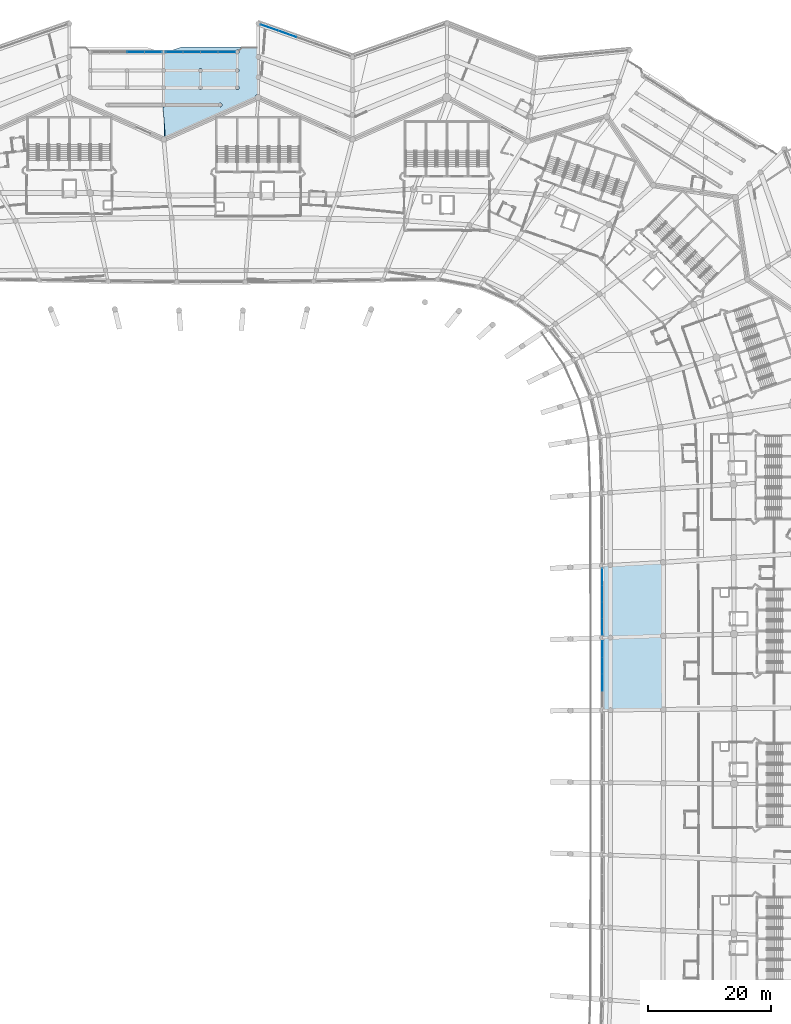
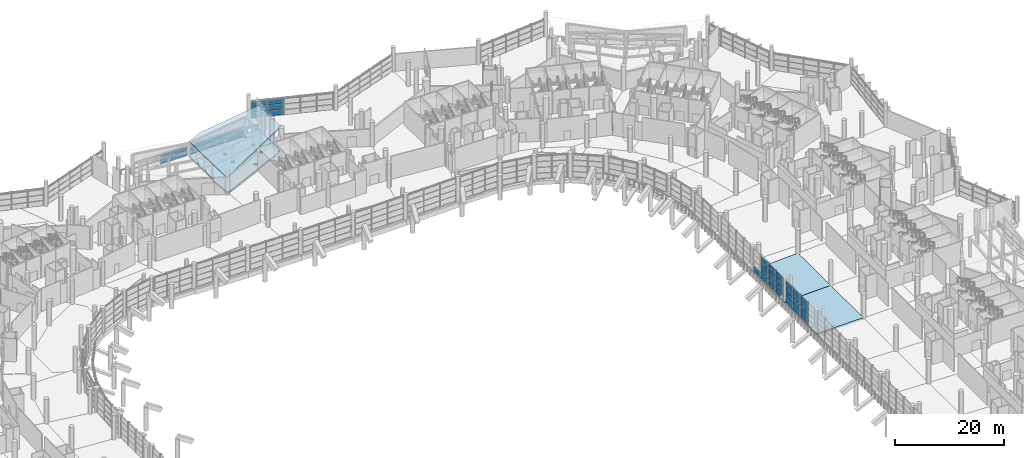
# One storey, part 147 of 271: 43 plates, 4 slabs, 5 elements without a shape of their own.
"""IFC4 building model written with IfcOpenShell, lengths in metres."""

from ifc_helpers import new_model, si_unit, direction, frame, origin, origin_2d, place, context, subcontext, project, spatial, polyline, rectangle, outline, extrude, material, layer, layer_set, type_object, element, aggregate, save


model = new_model("IFC4")

# Units and contexts
model_context = context("Model", 3, precision=1e-05, world=origin(), true_north=direction((0.0, 1.0)))
body_context = subcontext(model_context, "Body", "Model", "MODEL_VIEW")
ifc_project = project(units=[si_unit("LENGTHUNIT", "METRE"), si_unit("AREAUNIT", "SQUARE_METRE"), si_unit("VOLUMEUNIT", "CUBIC_METRE"), si_unit("PLANEANGLEUNIT", "RADIAN"), si_unit("MASSUNIT", "GRAM", prefix="KILO")], contexts=[model_context])

# Site, building, storey
site_placement = place(None, origin())
site = spatial("IfcSite", under=ifc_project, at=site_placement, CompositionType="ELEMENT")
building_placement = place(site_placement, origin())
building = spatial("IfcBuilding", under=site, at=building_placement, Name="Meseta Stadium", CompositionType="ELEMENT")
storey_placement = place(building_placement, frame((0.0, 0.0, 6.5)))
storey = spatial("IfcBuildingStorey", under=building, at=storey_placement, Name="L01", CompositionType="ELEMENT", Elevation=6.5)

# Curtain wall, plates
ifc_material_1 = material(Name="Aluminium", Category="aluminium")
ifc_layer_1 = layer(ifc_material_1, 0.199951171875)
ifc_layer_set_1 = layer_set([ifc_layer_1], Name="Club glazing curtain wall")
curtain_wall_type_1 = type_object("IfcCurtainWallType", Name="Club glazing curtain wall", PredefinedType="NOTDEFINED", material=ifc_layer_set_1)
curtain_wall_1_placement = place(storey_placement, origin())
curtain_wall_1 = element("IfcCurtainWall", 1, at=curtain_wall_1_placement, inside=storey, type_object=curtain_wall_type_1, Name="Club glazing bay 05", PredefinedType="NOTDEFINED")
ifc_material_2 = material(Name="Glass", Category="glass")
ifc_layer_2 = layer(ifc_material_2, 0.028076171875)
ifc_layer_set_2 = layer_set([ifc_layer_2], Name="CW glass panel 28")
plate_type_1 = type_object("IfcPlateType", Name="CW glass panel 28", PredefinedType="CURTAIN_PANEL", material=ifc_layer_set_2)
plate_1_placement = place(storey_placement, frame((63.594482421875, 10.37890625, 0.1201171875), z_axis=(0.0, 0.0, 1.0), x_axis=(-0.000924539991, 0.999999572613, 0.0)))
plate_1 = element("IfcPlate", 2, at=plate_1_placement, type_object=plate_type_1, Name="CWC panel 2.1", PredefinedType="CURTAIN_PANEL", context=body_context, shape_type="SweptSolid", body=[
    extrude(rectangle(XDim=2.64404296875, YDim=0.028076171875, at=origin_2d()), origin(), (0.0, 0.0, 1.0), 1.107421875),
])
plate_2_placement = place(storey_placement, frame((63.594482421875, 10.37890625, 1.347412109375), z_axis=(0.0, 0.0, 1.0), x_axis=(-0.000924539991, 0.999999572613, 0.0)))
plate_2 = element("IfcPlate", 3, at=plate_2_placement, type_object=plate_type_1, Name="CWC panel 2.2", PredefinedType="CURTAIN_PANEL", context=body_context, shape_type="SweptSolid", body=[
    extrude(rectangle(XDim=2.64404296875, YDim=0.028076171875, at=origin_2d()), origin(), (0.0, 0.0, 1.0), 1.16748046875),
])
plate_3_placement = place(storey_placement, frame((63.594482421875, 10.37890625, 2.635009765625), z_axis=(0.0, 0.0, 1.0), x_axis=(-0.000924539991, 0.999999572613, 0.0)))
plate_3 = element("IfcPlate", 4, at=plate_3_placement, type_object=plate_type_1, Name="CWC panel 2.3", PredefinedType="CURTAIN_PANEL", context=body_context, shape_type="SweptSolid", body=[
    extrude(rectangle(XDim=2.64404296875, YDim=0.028076171875, at=origin_2d()), origin(), (0.0, 0.0, 1.0), 1.16748046875),
])
plate_4_placement = place(storey_placement, frame((63.594482421875, 10.37890625, 3.922607421875), z_axis=(0.0, 0.0, 1.0), x_axis=(-0.000924539991, 0.999999572613, 0.0)))
plate_4 = element("IfcPlate", 5, at=plate_4_placement, type_object=plate_type_1, Name="CWC panel 2.4", PredefinedType="CURTAIN_PANEL", context=body_context, shape_type="SweptSolid", body=[
    extrude(rectangle(XDim=2.64404296875, YDim=0.028076171875, at=origin_2d()), origin(), (0.0, 0.0, 1.0), 1.107421875),
])
plate_5_placement = place(storey_placement, frame((63.592041015625, 13.082763671875, 0.1201171875), z_axis=(0.0, 0.0, 1.0), x_axis=(-0.000924539991, 0.999999572613, 0.0)))
plate_5 = element("IfcPlate", 6, at=plate_5_placement, type_object=plate_type_1, Name="CWC panel 3.1", PredefinedType="CURTAIN_PANEL", context=body_context, shape_type="SweptSolid", body=[
    extrude(rectangle(XDim=2.64404296875, YDim=0.028076171875, at=origin_2d()), origin(), (0.0, 0.0, 1.0), 1.107421875),
])
plate_6_placement = place(storey_placement, frame((63.592041015625, 13.082763671875, 1.347412109375), z_axis=(0.0, 0.0, 1.0), x_axis=(-0.000924539991, 0.999999572613, 0.0)))
plate_6 = element("IfcPlate", 7, at=plate_6_placement, type_object=plate_type_1, Name="CWC panel 3.2", PredefinedType="CURTAIN_PANEL", context=body_context, shape_type="SweptSolid", body=[
    extrude(rectangle(XDim=2.64404296875, YDim=0.028076171875, at=origin_2d()), origin(), (0.0, 0.0, 1.0), 1.16748046875),
])
plate_7_placement = place(storey_placement, frame((63.592041015625, 13.082763671875, 2.635009765625), z_axis=(0.0, 0.0, 1.0), x_axis=(-0.000924539991, 0.999999572613, 0.0)))
plate_7 = element("IfcPlate", 8, at=plate_7_placement, type_object=plate_type_1, Name="CWC panel 3.3", PredefinedType="CURTAIN_PANEL", context=body_context, shape_type="SweptSolid", body=[
    extrude(rectangle(XDim=2.64404296875, YDim=0.028076171875, at=origin_2d()), origin(), (0.0, 0.0, 1.0), 1.16748046875),
])
plate_8_placement = place(storey_placement, frame((63.592041015625, 13.082763671875, 3.922607421875), z_axis=(0.0, 0.0, 1.0), x_axis=(-0.000924539991, 0.999999572613, 0.0)))
plate_8 = element("IfcPlate", 9, at=plate_8_placement, type_object=plate_type_1, Name="CWC panel 3.4", PredefinedType="CURTAIN_PANEL", context=body_context, shape_type="SweptSolid", body=[
    extrude(rectangle(XDim=2.64404296875, YDim=0.028076171875, at=origin_2d()), origin(), (0.0, 0.0, 1.0), 1.107421875),
])
plate_9_placement = place(storey_placement, frame((63.589599609375, 15.771728515625, 0.1201171875), z_axis=(0.0, 0.0, 1.0), x_axis=(-0.000924539991, 0.999999572613, 0.0)))
plate_9 = element("IfcPlate", 10, at=plate_9_placement, type_object=plate_type_1, Name="CWC panel 4.1", PredefinedType="CURTAIN_PANEL", context=body_context, shape_type="SweptSolid", body=[
    extrude(rectangle(XDim=2.614013671875, YDim=0.028076171875, at=origin_2d()), origin(), (0.0, 0.0, 1.0), 1.107421875),
])
plate_10_placement = place(storey_placement, frame((63.589599609375, 15.771728515625, 1.347412109375), z_axis=(0.0, 0.0, 1.0), x_axis=(-0.000924539991, 0.999999572613, 0.0)))
plate_10 = element("IfcPlate", 11, at=plate_10_placement, type_object=plate_type_1, Name="CWC panel 4.2", PredefinedType="CURTAIN_PANEL", context=body_context, shape_type="SweptSolid", body=[
    extrude(rectangle(XDim=2.614013671875, YDim=0.028076171875, at=origin_2d()), origin(), (0.0, 0.0, 1.0), 1.16748046875),
])
plate_11_placement = place(storey_placement, frame((63.589599609375, 15.771728515625, 2.635009765625), z_axis=(0.0, 0.0, 1.0), x_axis=(-0.000924539991, 0.999999572613, 0.0)))
plate_11 = element("IfcPlate", 12, at=plate_11_placement, type_object=plate_type_1, Name="CWC panel 4.3", PredefinedType="CURTAIN_PANEL", context=body_context, shape_type="SweptSolid", body=[
    extrude(rectangle(XDim=2.614013671875, YDim=0.028076171875, at=origin_2d()), origin(), (0.0, 0.0, 1.0), 1.16748046875),
])
plate_12_placement = place(storey_placement, frame((63.589599609375, 15.771728515625, 3.922607421875), z_axis=(0.0, 0.0, 1.0), x_axis=(-0.000924539991, 0.999999572613, 0.0)))
plate_12 = element("IfcPlate", 13, at=plate_12_placement, type_object=plate_type_1, Name="CWC panel 4.4", PredefinedType="CURTAIN_PANEL", context=body_context, shape_type="SweptSolid", body=[
    extrude(rectangle(XDim=2.614013671875, YDim=0.028076171875, at=origin_2d()), origin(), (0.0, 0.0, 1.0), 1.107421875),
])
aggregate(curtain_wall_1, [plate_1, plate_2, plate_3, plate_4, plate_5, plate_6, plate_7, plate_8, plate_9, plate_10, plate_11, plate_12])

curtain_wall_2_placement = place(storey_placement, origin())
curtain_wall_2 = element("IfcCurtainWall", 14, at=curtain_wall_2_placement, inside=storey, type_object=curtain_wall_type_1, Name="Club glazing bay 06", PredefinedType="NOTDEFINED")
plate_13_placement = place(storey_placement, frame((63.58447265625, 19.434814453125, 0.1201171875), z_axis=(0.0, 0.0, 1.0), x_axis=(-0.0018452545, 0.999998297516, 0.0)))
plate_13 = element("IfcPlate", 15, at=plate_13_placement, type_object=plate_type_1, Name="CWC panel 1.1", PredefinedType="CURTAIN_PANEL", context=body_context, shape_type="SweptSolid", body=[
    extrude(rectangle(XDim=2.61376953125, YDim=0.028076171875, at=origin_2d()), origin(), (0.0, 0.0, 1.0), 1.107421875),
])
plate_14_placement = place(storey_placement, frame((63.58447265625, 19.434814453125, 1.347412109375), z_axis=(0.0, 0.0, 1.0), x_axis=(-0.0018452545, 0.999998297516, 0.0)))
plate_14 = element("IfcPlate", 16, at=plate_14_placement, type_object=plate_type_1, Name="CWC panel 1.2", PredefinedType="CURTAIN_PANEL", context=body_context, shape_type="SweptSolid", body=[
    extrude(rectangle(XDim=2.61376953125, YDim=0.028076171875, at=origin_2d()), origin(), (0.0, 0.0, 1.0), 1.16748046875),
])
plate_15_placement = place(storey_placement, frame((63.58447265625, 19.434814453125, 2.635009765625), z_axis=(0.0, 0.0, 1.0), x_axis=(-0.0018452545, 0.999998297516, 0.0)))
plate_15 = element("IfcPlate", 17, at=plate_15_placement, type_object=plate_type_1, Name="CWC panel 1.3", PredefinedType="CURTAIN_PANEL", context=body_context, shape_type="SweptSolid", body=[
    extrude(rectangle(XDim=2.61376953125, YDim=0.028076171875, at=origin_2d()), origin(), (0.0, 0.0, 1.0), 1.16748046875),
])
plate_16_placement = place(storey_placement, frame((63.58447265625, 19.434814453125, 3.922607421875), z_axis=(0.0, 0.0, 1.0), x_axis=(-0.0018452545, 0.999998297516, 0.0)))
plate_16 = element("IfcPlate", 18, at=plate_16_placement, type_object=plate_type_1, Name="CWC panel 1.4", PredefinedType="CURTAIN_PANEL", context=body_context, shape_type="SweptSolid", body=[
    extrude(rectangle(XDim=2.61376953125, YDim=0.028076171875, at=origin_2d()), origin(), (0.0, 0.0, 1.0), 1.107421875),
])
plate_17_placement = place(storey_placement, frame((63.57958984375, 22.12353515625, 0.1201171875), z_axis=(0.0, 0.0, 1.0), x_axis=(-0.0018452545, 0.999998297516, 0.0)))
plate_17 = element("IfcPlate", 19, at=plate_17_placement, type_object=plate_type_1, Name="CWC panel 2.1", PredefinedType="CURTAIN_PANEL", context=body_context, shape_type="SweptSolid", body=[
    extrude(rectangle(XDim=2.6435546875, YDim=0.028076171875, at=origin_2d()), origin(), (0.0, 0.0, 1.0), 1.107421875),
])
plate_18_placement = place(storey_placement, frame((63.57958984375, 22.12353515625, 1.347412109375), z_axis=(0.0, 0.0, 1.0), x_axis=(-0.0018452545, 0.999998297516, 0.0)))
plate_18 = element("IfcPlate", 20, at=plate_18_placement, type_object=plate_type_1, Name="CWC panel 2.2", PredefinedType="CURTAIN_PANEL", context=body_context, shape_type="SweptSolid", body=[
    extrude(rectangle(XDim=2.6435546875, YDim=0.028076171875, at=origin_2d()), origin(), (0.0, 0.0, 1.0), 1.16748046875),
])
plate_19_placement = place(storey_placement, frame((63.57958984375, 22.12353515625, 2.635009765625), z_axis=(0.0, 0.0, 1.0), x_axis=(-0.0018452545, 0.999998297516, 0.0)))
plate_19 = element("IfcPlate", 21, at=plate_19_placement, type_object=plate_type_1, Name="CWC panel 2.3", PredefinedType="CURTAIN_PANEL", context=body_context, shape_type="SweptSolid", body=[
    extrude(rectangle(XDim=2.6435546875, YDim=0.028076171875, at=origin_2d()), origin(), (0.0, 0.0, 1.0), 1.16748046875),
])
plate_20_placement = place(storey_placement, frame((63.57958984375, 22.12353515625, 3.922607421875), z_axis=(0.0, 0.0, 1.0), x_axis=(-0.0018452545, 0.999998297516, 0.0)))
plate_20 = element("IfcPlate", 22, at=plate_20_placement, type_object=plate_type_1, Name="CWC panel 2.4", PredefinedType="CURTAIN_PANEL", context=body_context, shape_type="SweptSolid", body=[
    extrude(rectangle(XDim=2.6435546875, YDim=0.028076171875, at=origin_2d()), origin(), (0.0, 0.0, 1.0), 1.107421875),
])
plate_21_placement = place(storey_placement, frame((63.574462890625, 24.8271484375, 0.1201171875), z_axis=(0.0, 0.0, 1.0), x_axis=(-0.0018452545, 0.999998297516, 0.0)))
plate_21 = element("IfcPlate", 23, at=plate_21_placement, type_object=plate_type_1, Name="CWC panel 3.1", PredefinedType="CURTAIN_PANEL", context=body_context, shape_type="SweptSolid", body=[
    extrude(rectangle(XDim=2.6435546875, YDim=0.028076171875, at=origin_2d()), origin(), (0.0, 0.0, 1.0), 1.107421875),
])
plate_22_placement = place(storey_placement, frame((63.574462890625, 24.8271484375, 1.347412109375), z_axis=(0.0, 0.0, 1.0), x_axis=(-0.0018452545, 0.999998297516, 0.0)))
plate_22 = element("IfcPlate", 24, at=plate_22_placement, type_object=plate_type_1, Name="CWC panel 3.2", PredefinedType="CURTAIN_PANEL", context=body_context, shape_type="SweptSolid", body=[
    extrude(rectangle(XDim=2.6435546875, YDim=0.028076171875, at=origin_2d()), origin(), (0.0, 0.0, 1.0), 1.16748046875),
])
plate_23_placement = place(storey_placement, frame((63.574462890625, 24.8271484375, 2.635009765625), z_axis=(0.0, 0.0, 1.0), x_axis=(-0.0018452545, 0.999998297516, 0.0)))
plate_23 = element("IfcPlate", 25, at=plate_23_placement, type_object=plate_type_1, Name="CWC panel 3.3", PredefinedType="CURTAIN_PANEL", context=body_context, shape_type="SweptSolid", body=[
    extrude(rectangle(XDim=2.6435546875, YDim=0.028076171875, at=origin_2d()), origin(), (0.0, 0.0, 1.0), 1.16748046875),
])
plate_24_placement = place(storey_placement, frame((63.574462890625, 24.8271484375, 3.922607421875), z_axis=(0.0, 0.0, 1.0), x_axis=(-0.0018452545, 0.999998297516, 0.0)))
plate_24 = element("IfcPlate", 26, at=plate_24_placement, type_object=plate_type_1, Name="CWC panel 3.4", PredefinedType="CURTAIN_PANEL", context=body_context, shape_type="SweptSolid", body=[
    extrude(rectangle(XDim=2.6435546875, YDim=0.028076171875, at=origin_2d()), origin(), (0.0, 0.0, 1.0), 1.107421875),
])
plate_25_placement = place(storey_placement, frame((63.569580078125, 27.515869140625, 0.1201171875), z_axis=(0.0, 0.0, 1.0), x_axis=(-0.0018452545, 0.999998297516, 0.0)))
plate_25 = element("IfcPlate", 27, at=plate_25_placement, type_object=plate_type_1, Name="CWC panel 4.1", PredefinedType="CURTAIN_PANEL", context=body_context, shape_type="SweptSolid", body=[
    extrude(rectangle(XDim=2.61376953125, YDim=0.028076171875, at=origin_2d()), origin(), (0.0, 0.0, 1.0), 1.107421875),
])
aggregate(curtain_wall_2, [plate_13, plate_14, plate_15, plate_16, plate_17, plate_18, plate_19, plate_20, plate_21, plate_22, plate_23, plate_24, plate_25])

# Slabs
ifc_material_3 = material(Name="Concrete C40/50", Category="concrete")
ifc_layer_3 = layer(ifc_material_3, 0.35009765625)
ifc_layer_set_3 = layer_set([ifc_layer_3], Name="Floor slab 350")
slab_type_1 = type_object("IfcSlabType", Name="Floor slab 350", PredefinedType="FLOOR", material=ifc_layer_set_3)
slab_1_placement = place(storey_placement, frame((0.0, 0.0, -0.35009765625)))
element("IfcSlab", 28, at=slab_1_placement, inside=storey, type_object=slab_type_1, Name="Floor slab L01 sector 00 panel 04", PredefinedType="FLOOR", context=body_context, shape_type="SweptSolid", body=[
    extrude(outline(polyline([(63.578369140625, 23.490234375), (63.587890625, 17.617919921875), (73.482421875, 17.943603515625), (73.451416015625, 29.89404296875), (63.566162109375, 29.352294921875), (63.578369140625, 23.490234375)])), origin(), (0.0, 0.0, 1.0), 0.35009765625),
])
slab_2_placement = place(storey_placement, frame((0.0, 0.0, -0.35009765625)))
element("IfcSlab", 29, at=slab_2_placement, inside=storey, type_object=slab_type_1, Name="Floor slab L01 sector 00 panel 06", PredefinedType="FLOOR", context=body_context, shape_type="SweptSolid", body=[
    extrude(outline(polyline([(73.482421875, 17.943603515625), (63.587890625, 17.617919921875), (63.594482421875, 11.74560546875), (63.5986328125, 5.872802734375), (73.498046875, 5.981201171875), (73.482421875, 17.943603515625)])), origin(), (0.0, 0.0, 1.0), 0.35009765625),
])
slab_3_placement = place(storey_placement, frame((0.0, 0.0, -0.35009765625)))
element("IfcSlab", 30, at=slab_3_placement, inside=storey, type_object=slab_type_1, Name="Gate hall floor slab 3 panel 02", PredefinedType="FLOOR", context=body_context, shape_type="SweptSolid", body=[
    extrude(outline(polyline([(-7.58837890625, 109.5078125), (-7.65478515625, 109.4990234375), (-7.65478515625, 109.49853515625), (-7.65478515625, 109.497314453125), (-7.65478515625, 107.302490234375), (-7.65478515625, 107.301513671875), (-7.65478515625, 107.301025390625), (-7.58837890625, 107.292236328125), (-7.515380859375, 107.261962890625), (-7.45263671875, 107.214111328125), (-7.404541015625, 107.1513671875), (-7.37451171875, 107.078369140625), (-7.364013671875, 107.0), (-7.37451171875, 106.921630859375), (-7.404541015625, 106.8486328125), (-7.45263671875, 106.785888671875), (-7.515380859375, 106.738037109375), (-7.58837890625, 106.707763671875), (-7.65478515625, 106.698974609375), (-7.65478515625, 106.698486328125), (-7.65478515625, 106.697509765625), (-7.65478515625, 104.502685546875), (-7.65478515625, 104.50146484375), (-7.65478515625, 104.5009765625), (-7.58837890625, 104.4921875), (-7.515380859375, 104.4619140625), (-7.45263671875, 104.4140625), (-7.404541015625, 104.351318359375), (-7.37451171875, 104.2783203125), (-7.364013671875, 104.199951171875), (-7.37451171875, 104.12158203125), (-7.404541015625, 104.048583984375), (-7.45263671875, 103.986083984375), (-7.515380859375, 103.93798828125), (-7.58837890625, 103.90771484375), (-7.666748046875, 103.8974609375), (-7.7451171875, 103.90771484375), (-7.80810546875, 103.933837890625), (-7.415283203125, 98.984375), (-7.415283203125, 98.9833984375), (-7.415283203125, 98.982177734375), (-7.41552734375, 98.98095703125), (-7.416015625, 98.97998046875), (-7.416259765625, 98.978759765625), (-7.416748046875, 98.977783203125), (-7.41748046875, 98.976806640625), (-7.417724609375, 98.976318359375), (-7.36083984375, 98.9326171875), (7.165771484375, 105.374755859375), (7.162353515625, 105.39990234375), (7.179443359375, 105.530517578125), (7.22998046875, 105.652099609375), (7.31005859375, 105.756591796875), (7.41455078125, 105.836669921875), (7.5361328125, 105.88720703125), (7.666748046875, 105.904296875), (7.666748046875, 113.60009765625), (-4.8271484375, 113.60009765625), (-7.383544921875, 112.69970703125), (-7.404541015625, 112.648681640625), (-7.45263671875, 112.5859375), (-7.515380859375, 112.5380859375), (-7.58837890625, 112.5078125), (-7.65478515625, 112.4990234375), (-7.65478515625, 112.49853515625), (-7.65478515625, 112.497314453125), (-7.65478515625, 110.1025390625), (-7.65478515625, 110.101318359375), (-7.65478515625, 110.10107421875), (-7.58837890625, 110.09228515625), (-7.515380859375, 110.06201171875), (-7.45263671875, 110.013916015625), (-7.404541015625, 109.951416015625), (-7.37451171875, 109.87841796875), (-7.364013671875, 109.800048828125), (-7.37451171875, 109.7216796875), (-7.404541015625, 109.648681640625), (-7.45263671875, 109.5859375), (-7.515380859375, 109.5380859375), (-7.58837890625, 109.5078125)]), holes=[polyline([(4.052734375, 112.5859375), (4.004638671875, 112.648681640625), (3.974365234375, 112.7216796875), (3.964111328125, 112.800048828125), (3.974365234375, 112.87841796875), (4.004638671875, 112.951416015625), (4.052734375, 113.013916015625), (4.115478515625, 113.06201171875), (4.1884765625, 113.09228515625), (4.2666015625, 113.1025390625), (4.344970703125, 113.09228515625), (4.41796875, 113.06201171875), (4.480712890625, 113.013916015625), (4.52880859375, 112.951416015625), (4.558837890625, 112.87841796875), (4.5693359375, 112.800048828125), (4.558837890625, 112.7216796875), (4.52880859375, 112.648681640625), (4.480712890625, 112.5859375), (4.41796875, 112.5380859375), (4.344970703125, 112.5078125), (4.2666015625, 112.497314453125), (4.1884765625, 112.5078125), (4.115478515625, 112.5380859375), (4.052734375, 112.5859375)]), polyline([(4.052734375, 110.013916015625), (4.115478515625, 110.06201171875), (4.1884765625, 110.09228515625), (4.2666015625, 110.1025390625), (4.344970703125, 110.09228515625), (4.41796875, 110.06201171875), (4.480712890625, 110.013916015625), (4.52880859375, 109.951416015625), (4.558837890625, 109.87841796875), (4.5693359375, 109.800048828125), (4.558837890625, 109.7216796875), (4.52880859375, 109.648681640625), (4.480712890625, 109.5859375), (4.41796875, 109.5380859375), (4.344970703125, 109.5078125), (4.2666015625, 109.497314453125), (4.1884765625, 109.5078125), (4.115478515625, 109.5380859375), (4.052734375, 109.5859375), (4.004638671875, 109.648681640625), (3.974365234375, 109.7216796875), (3.964111328125, 109.800048828125), (3.974365234375, 109.87841796875), (4.004638671875, 109.951416015625), (4.052734375, 110.013916015625)]), polyline([(4.052734375, 107.214111328125), (4.115478515625, 107.261962890625), (4.1884765625, 107.292236328125), (4.2666015625, 107.302490234375), (4.344970703125, 107.292236328125), (4.41796875, 107.261962890625), (4.480712890625, 107.214111328125), (4.52880859375, 107.1513671875), (4.558837890625, 107.078369140625), (4.5693359375, 107.0), (4.558837890625, 106.921630859375), (4.52880859375, 106.8486328125), (4.480712890625, 106.785888671875), (4.41796875, 106.738037109375), (4.344970703125, 106.707763671875), (4.2666015625, 106.697509765625), (4.1884765625, 106.707763671875), (4.115478515625, 106.738037109375), (4.052734375, 106.785888671875), (4.004638671875, 106.8486328125), (3.974365234375, 106.921630859375), (3.964111328125, 107.0), (3.974365234375, 107.078369140625), (4.004638671875, 107.1513671875), (4.052734375, 107.214111328125)]), polyline([(-1.486083984375, 107.214111328125), (-1.43798828125, 107.1513671875), (-1.40771484375, 107.078369140625), (-1.3974609375, 107.0), (-1.40771484375, 106.921630859375), (-1.43798828125, 106.8486328125), (-1.486083984375, 106.785888671875), (-1.548583984375, 106.738037109375), (-1.62158203125, 106.707763671875), (-1.699951171875, 106.697509765625), (-1.7783203125, 106.707763671875), (-1.851318359375, 106.738037109375), (-1.9140625, 106.785888671875), (-1.9619140625, 106.8486328125), (-1.9921875, 106.921630859375), (-2.002685546875, 107.0), (-1.9921875, 107.078369140625), (-1.9619140625, 107.1513671875), (-1.9140625, 107.214111328125), (-1.851318359375, 107.261962890625), (-1.7783203125, 107.292236328125), (-1.699951171875, 107.302490234375), (-1.62158203125, 107.292236328125), (-1.548583984375, 107.261962890625), (-1.486083984375, 107.214111328125)]), polyline([(-1.62158203125, 110.09228515625), (-1.548583984375, 110.06201171875), (-1.486083984375, 110.013916015625), (-1.43798828125, 109.951416015625), (-1.40771484375, 109.87841796875), (-1.3974609375, 109.800048828125), (-1.40771484375, 109.7216796875), (-1.43798828125, 109.648681640625), (-1.486083984375, 109.5859375), (-1.548583984375, 109.5380859375), (-1.62158203125, 109.5078125), (-1.699951171875, 109.497314453125), (-1.7783203125, 109.5078125), (-1.851318359375, 109.5380859375), (-1.9140625, 109.5859375), (-1.9619140625, 109.648681640625), (-1.9921875, 109.7216796875), (-2.002685546875, 109.800048828125), (-1.9921875, 109.87841796875), (-1.9619140625, 109.951416015625), (-1.9140625, 110.013916015625), (-1.851318359375, 110.06201171875), (-1.7783203125, 110.09228515625), (-1.699951171875, 110.1025390625), (-1.62158203125, 110.09228515625)]), polyline([(1.4384765625, 103.90771484375), (1.365478515625, 103.93798828125), (1.302734375, 103.986083984375), (1.254638671875, 104.048583984375), (1.224609375, 104.12158203125), (1.214111328125, 104.199951171875), (1.224609375, 104.2783203125), (1.254638671875, 104.351318359375), (1.302734375, 104.4140625), (1.365478515625, 104.4619140625), (1.4384765625, 104.4921875), (1.516845703125, 104.502685546875), (1.59521484375, 104.4921875), (1.668212890625, 104.4619140625), (1.730712890625, 104.4140625), (1.77880859375, 104.351318359375), (1.80908203125, 104.2783203125), (1.8193359375, 104.199951171875), (1.80908203125, 104.12158203125), (1.77880859375, 104.048583984375), (1.730712890625, 103.986083984375), (1.668212890625, 103.93798828125), (1.59521484375, 103.90771484375), (1.516845703125, 103.8974609375), (1.4384765625, 103.90771484375)])]), origin(), (0.0, 0.0, 1.0), 0.35009765625),
])
ifc_material_4 = material(Name="Concrete C40/50", Category="concrete")
ifc_layer_4 = layer(ifc_material_4, 0.300048828125)
ifc_layer_set_4 = layer_set([ifc_layer_4], Name="Gate roof plate 300")
slab_type_2 = type_object("IfcSlabType", Name="Gate roof plate 300", PredefinedType="ROOF", material=ifc_layer_set_4)
slab_4_placement = place(storey_placement, frame((-7.666748046875, 112.60009765625, 3.2412109375), z_axis=(-0.138624201217, 0.019803526469, 0.99014703513), x_axis=(5.01351e-07, -0.999800046752, 0.019996662603)))
element("IfcSlab", 31, at=slab_4_placement, inside=storey, type_object=slab_type_2, Name="Gate 3 butterfly roof wing", PredefinedType="ROOF", context=body_context, shape_type="SweptSolid", body=[
    extrude(outline(polyline([(0.0, 0.0), (13.80598419644669, -6.938893903907228e-18), (7.047510880738475, 15.48298708606902), (-0.9572652772770489, 15.482978936526571), (-0.992246172665411, 2.867301837908844), (0.0, 0.0)])), origin(), (0.0, 0.0, -1.0), 0.300048828125),
])

# Curtain wall, plates
ifc_material_5 = material(Name="Aluminium", Category="aluminium")
ifc_layer_5 = layer(ifc_material_5, 0.199951171875)
ifc_layer_set_5 = layer_set([ifc_layer_5], Name="Ring shopfront curtain wall")
curtain_wall_type_2 = type_object("IfcCurtainWallType", Name="Ring shopfront curtain wall", PredefinedType="NOTDEFINED", material=ifc_layer_set_5)
curtain_wall_3_placement = place(storey_placement, origin())
curtain_wall_3 = element("IfcCurtainWall", 32, at=curtain_wall_3_placement, inside=storey, type_object=curtain_wall_type_2, Name="Ring glazing L01 F17", PredefinedType="NOTDEFINED")
ifc_material_6 = material(Name="Glass", Category="glass")
ifc_layer_6 = layer(ifc_material_6, 0.035888671875)
ifc_layer_set_6 = layer_set([ifc_layer_6], Name="Ring CW glass panel 36")
plate_type_2 = type_object("IfcPlateType", Name="Ring CW glass panel 36", PredefinedType="CURTAIN_PANEL", material=ifc_layer_set_6)
plate_26_placement = place(storey_placement, frame((12.417724609375, 115.726806640625, 0.14990234375), z_axis=(0.0, 0.0, 1.0), x_axis=(-0.943218009999, 0.332174330154, 0.0)))
plate_26 = element("IfcPlate", 33, at=plate_26_placement, type_object=plate_type_2, Name="CWR1 panel 4.1", PredefinedType="CURTAIN_PANEL", context=body_context, shape_type="SweptSolid", body=[
    extrude(rectangle(XDim=3.03125, YDim=0.035888671875, at=origin_2d()), origin(), (0.0, 0.0, 1.0), 1.058349609375),
])
plate_27_placement = place(storey_placement, frame((12.417724609375, 115.726806640625, 1.3583984375), z_axis=(0.0, 0.0, 1.0), x_axis=(-0.943218009999, 0.332174330154, 0.0)))
plate_27 = element("IfcPlate", 34, at=plate_27_placement, type_object=plate_type_2, Name="CWR1 panel 4.2", PredefinedType="CURTAIN_PANEL", context=body_context, shape_type="SweptSolid", body=[
    extrude(rectangle(XDim=3.03125, YDim=0.035888671875, at=origin_2d()), origin(), (0.0, 0.0, 1.0), 1.13330078125),
])
plate_28_placement = place(storey_placement, frame((12.417724609375, 115.726806640625, 2.6416015625), z_axis=(0.0, 0.0, 1.0), x_axis=(-0.943218009999, 0.332174330154, 0.0)))
plate_28 = element("IfcPlate", 35, at=plate_28_placement, type_object=plate_type_2, Name="CWR1 panel 4.3", PredefinedType="CURTAIN_PANEL", context=body_context, shape_type="SweptSolid", body=[
    extrude(rectangle(XDim=3.03125, YDim=0.035888671875, at=origin_2d()), origin(), (0.0, 0.0, 1.0), 1.058349609375),
])
plate_29_placement = place(storey_placement, frame((9.51611328125, 116.748779296875, 0.14990234375), z_axis=(0.0, 0.0, 1.0), x_axis=(-0.943218009999, 0.332174330154, 0.0)))
plate_29 = element("IfcPlate", 36, at=plate_29_placement, type_object=plate_type_2, Name="CWR1 panel 5.1", PredefinedType="CURTAIN_PANEL", context=body_context, shape_type="SweptSolid", body=[
    extrude(rectangle(XDim=3.001220703125, YDim=0.035888671875, at=origin_2d()), origin(), (0.0, 0.0, 1.0), 1.058349609375),
])
plate_30_placement = place(storey_placement, frame((9.51611328125, 116.748779296875, 1.3583984375), z_axis=(0.0, 0.0, 1.0), x_axis=(-0.943218009999, 0.332174330154, 0.0)))
plate_30 = element("IfcPlate", 37, at=plate_30_placement, type_object=plate_type_2, Name="CWR1 panel 5.2", PredefinedType="CURTAIN_PANEL", context=body_context, shape_type="SweptSolid", body=[
    extrude(rectangle(XDim=3.001220703125, YDim=0.035888671875, at=origin_2d()), origin(), (0.0, 0.0, 1.0), 1.13330078125),
])
plate_31_placement = place(storey_placement, frame((9.51611328125, 116.748779296875, 2.6416015625), z_axis=(0.0, 0.0, 1.0), x_axis=(-0.943218009999, 0.332174330154, 0.0)))
plate_31 = element("IfcPlate", 38, at=plate_31_placement, type_object=plate_type_2, Name="CWR1 panel 5.3", PredefinedType="CURTAIN_PANEL", context=body_context, shape_type="SweptSolid", body=[
    extrude(rectangle(XDim=3.001220703125, YDim=0.035888671875, at=origin_2d()), origin(), (0.0, 0.0, 1.0), 1.058349609375),
])
aggregate(curtain_wall_3, [plate_26, plate_27, plate_28, plate_29, plate_30, plate_31])

ifc_material_7 = material(Name="Aluminium", Category="aluminium")
ifc_layer_7 = layer(ifc_material_7, 0.199951171875)
ifc_layer_set_7 = layer_set([ifc_layer_7], Name="Gate hall curtain wall")
curtain_wall_type_3 = type_object("IfcCurtainWallType", Name="Gate hall curtain wall", PredefinedType="NOTDEFINED", material=ifc_layer_set_7)
curtain_wall_4_placement = place(storey_placement, origin())
curtain_wall_4 = element("IfcCurtainWall", 39, at=curtain_wall_4_placement, inside=storey, type_object=curtain_wall_type_3, Name="Gate 3 hall glazing", PredefinedType="NOTDEFINED")
plate_32_placement = place(storey_placement, frame((-5.93505859375, 112.800048828125, 0.14990234375), z_axis=(0.0, 0.0, 1.0), x_axis=(1.0, 0.0, 0.0)))
plate_32 = element("IfcPlate", 40, at=plate_32_placement, type_object=plate_type_2, Name="CWG1 panel 1.1", PredefinedType="CURTAIN_PANEL", context=body_context, shape_type="SweptSolid", body=[
    extrude(rectangle(XDim=2.743408203125, YDim=0.035888671875, at=origin_2d()), origin(), (0.0, 0.0, 1.0), 0.924560546875),
])
plate_33_placement = place(storey_placement, frame((-5.93505859375, 112.800048828125, 1.224609375), z_axis=(0.0, 0.0, 1.0), x_axis=(1.0, 0.0, 0.0)))
plate_33 = element("IfcPlate", 41, at=plate_33_placement, type_object=plate_type_2, Name="CWG1 panel 1.2", PredefinedType="CURTAIN_PANEL", context=body_context, shape_type="SweptSolid", body=[
    extrude(rectangle(XDim=2.743408203125, YDim=0.035888671875, at=origin_2d()), origin(), (0.0, 0.0, 1.0), 0.924560546875),
])
plate_34_placement = place(storey_placement, frame((-3.11669921875, 112.800048828125, 0.14990234375), z_axis=(0.0, 0.0, 1.0), x_axis=(1.0, 0.0, 0.0)))
plate_34 = element("IfcPlate", 42, at=plate_34_placement, type_object=plate_type_2, Name="CWG1 panel 2.1", PredefinedType="CURTAIN_PANEL", context=body_context, shape_type="SweptSolid", body=[
    extrude(rectangle(XDim=2.7734375, YDim=0.035888671875, at=origin_2d()), origin(), (0.0, 0.0, 1.0), 0.924560546875),
])
plate_35_placement = place(storey_placement, frame((-3.11669921875, 112.800048828125, 1.224609375), z_axis=(0.0, 0.0, 1.0), x_axis=(1.0, 0.0, 0.0)))
plate_35 = element("IfcPlate", 43, at=plate_35_placement, type_object=plate_type_2, Name="CWG1 panel 2.2", PredefinedType="CURTAIN_PANEL", context=body_context, shape_type="SweptSolid", body=[
    extrude(rectangle(XDim=2.7734375, YDim=0.035888671875, at=origin_2d()), origin(), (0.0, 0.0, 1.0), 0.924560546875),
])
plate_36_placement = place(storey_placement, frame((-0.283203125, 112.800048828125, 0.14990234375), z_axis=(0.0, 0.0, 1.0), x_axis=(1.0, 0.0, 0.0)))
plate_36 = element("IfcPlate", 44, at=plate_36_placement, type_object=plate_type_2, Name="CWG1 panel 3.1", PredefinedType="CURTAIN_PANEL", context=body_context, shape_type="SweptSolid", body=[
    extrude(rectangle(XDim=2.7734375, YDim=0.035888671875, at=origin_2d()), origin(), (0.0, 0.0, 1.0), 0.924560546875),
])
plate_37_placement = place(storey_placement, frame((-0.283203125, 112.800048828125, 1.224609375), z_axis=(0.0, 0.0, 1.0), x_axis=(1.0, 0.0, 0.0)))
plate_37 = element("IfcPlate", 45, at=plate_37_placement, type_object=plate_type_2, Name="CWG1 panel 3.2", PredefinedType="CURTAIN_PANEL", context=body_context, shape_type="SweptSolid", body=[
    extrude(rectangle(XDim=2.7734375, YDim=0.035888671875, at=origin_2d()), origin(), (0.0, 0.0, 1.0), 0.924560546875),
])
plate_38_placement = place(storey_placement, frame((2.534912109375, 112.800048828125, 0.14990234375), z_axis=(0.0, 0.0, 1.0), x_axis=(1.0, 0.0, 0.0)))
plate_38 = element("IfcPlate", 46, at=plate_38_placement, type_object=plate_type_2, Name="CWG1 panel 4.1", PredefinedType="CURTAIN_PANEL", context=body_context, shape_type="SweptSolid", body=[
    extrude(rectangle(XDim=2.743408203125, YDim=0.035888671875, at=origin_2d()), origin(), (0.0, 0.0, 1.0), 0.924560546875),
])
plate_39_placement = place(storey_placement, frame((2.534912109375, 112.800048828125, 1.224609375), z_axis=(0.0, 0.0, 1.0), x_axis=(1.0, 0.0, 0.0)))
plate_39 = element("IfcPlate", 47, at=plate_39_placement, type_object=plate_type_2, Name="CWG1 panel 4.2", PredefinedType="CURTAIN_PANEL", context=body_context, shape_type="SweptSolid", body=[
    extrude(rectangle(XDim=2.743408203125, YDim=0.035888671875, at=origin_2d()), origin(), (0.0, 0.0, 1.0), 0.924560546875),
])
aggregate(curtain_wall_4, [plate_32, plate_33, plate_34, plate_35, plate_36, plate_37, plate_38, plate_39])

curtain_wall_5_placement = place(storey_placement, origin())
curtain_wall_5 = element("IfcCurtainWall", 48, at=curtain_wall_5_placement, inside=storey, type_object=curtain_wall_type_3, Name="Gate 3 hall glazing", PredefinedType="NOTDEFINED")
plate_40_placement = place(storey_placement, frame((-12.216796875, 112.800048828125, 0.14990234375), z_axis=(0.0, 0.0, 1.0), x_axis=(1.0, 0.0, 0.0)))
plate_40 = element("IfcPlate", 49, at=plate_40_placement, type_object=plate_type_2, Name="CWG1 panel 3.1", PredefinedType="CURTAIN_PANEL", context=body_context, shape_type="SweptSolid", body=[
    extrude(rectangle(XDim=2.7734375, YDim=0.035888671875, at=origin_2d()), origin(), (0.0, 0.0, 1.0), 0.924560546875),
])
plate_41_placement = place(storey_placement, frame((-12.216796875, 112.800048828125, 1.224609375), z_axis=(0.0, 0.0, 1.0), x_axis=(1.0, 0.0, 0.0)))
plate_41 = element("IfcPlate", 50, at=plate_41_placement, type_object=plate_type_2, Name="CWG1 panel 3.2", PredefinedType="CURTAIN_PANEL", context=body_context, shape_type="SweptSolid", body=[
    extrude(rectangle(XDim=2.7734375, YDim=0.035888671875, at=origin_2d()), origin(), (0.0, 0.0, 1.0), 0.924560546875),
])
plate_42_placement = place(storey_placement, frame((-9.3984375, 112.800048828125, 0.14990234375), z_axis=(0.0, 0.0, 1.0), x_axis=(1.0, 0.0, 0.0)))
plate_42 = element("IfcPlate", 51, at=plate_42_placement, type_object=plate_type_2, Name="CWG1 panel 4.1", PredefinedType="CURTAIN_PANEL", context=body_context, shape_type="SweptSolid", body=[
    extrude(rectangle(XDim=2.743408203125, YDim=0.035888671875, at=origin_2d()), origin(), (0.0, 0.0, 1.0), 0.924560546875),
])
plate_43_placement = place(storey_placement, frame((-9.3984375, 112.800048828125, 1.224609375), z_axis=(0.0, 0.0, 1.0), x_axis=(1.0, 0.0, 0.0)))
plate_43 = element("IfcPlate", 52, at=plate_43_placement, type_object=plate_type_2, Name="CWG1 panel 4.2", PredefinedType="CURTAIN_PANEL", context=body_context, shape_type="SweptSolid", body=[
    extrude(rectangle(XDim=2.743408203125, YDim=0.035888671875, at=origin_2d()), origin(), (0.0, 0.0, 1.0), 0.924560546875),
])
aggregate(curtain_wall_5, [plate_40, plate_41, plate_42, plate_43])

save(model, "model.ifc")
